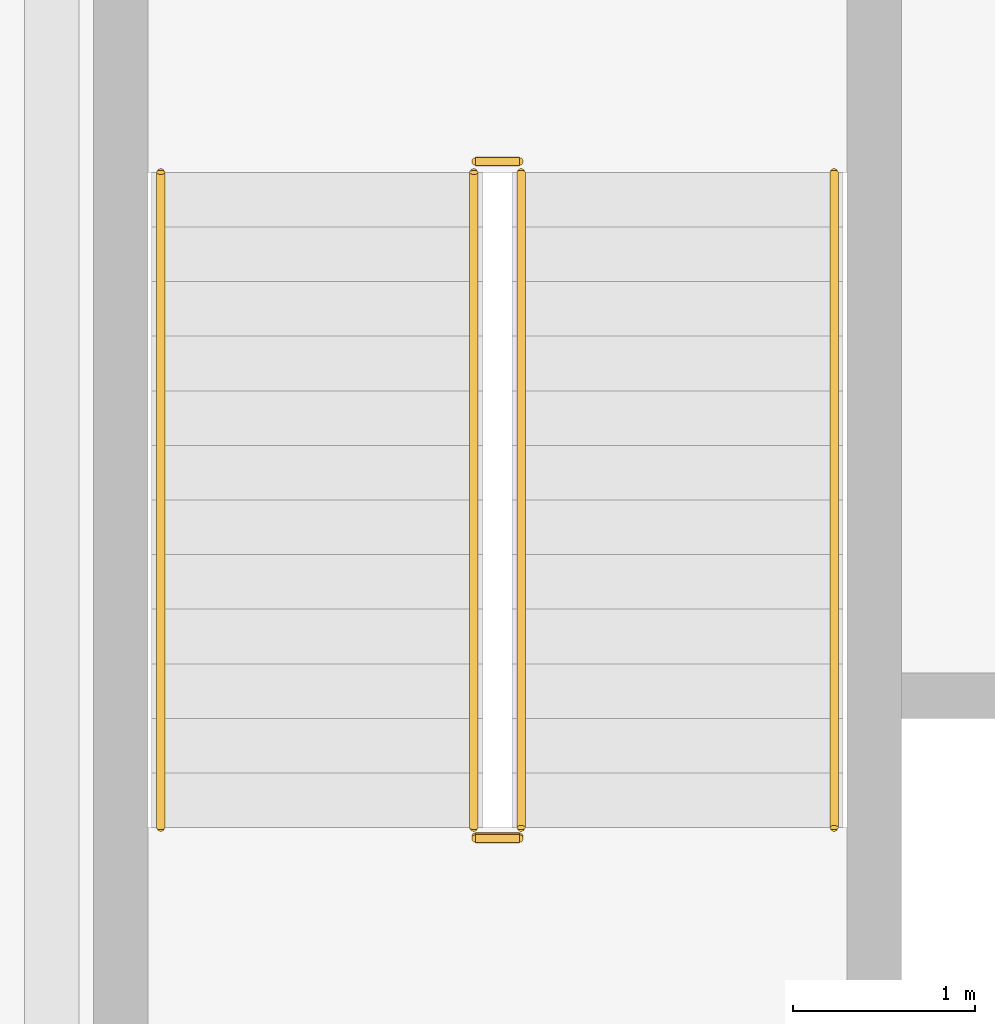
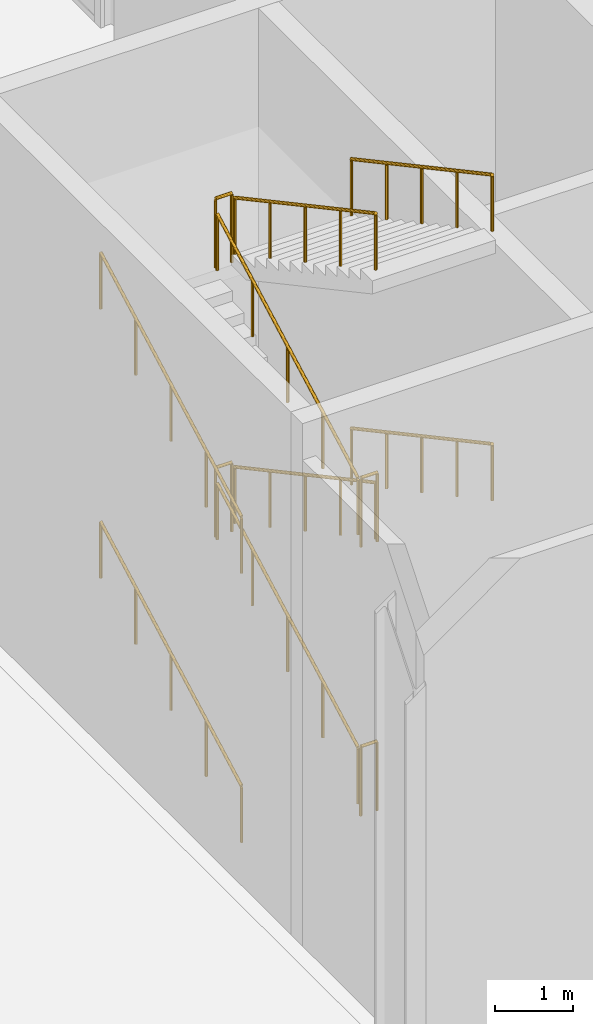
# One storey, part 128 of 131: 12 railings.
"""IFC4 building model written with IfcOpenShell, lengths in metres."""

from ifc_helpers import new_model, si_unit, direction, frame, origin, origin_2d, place, context, subcontext, project, spatial, circle, extrude, material, type_object, element, save


model = new_model("IFC4")

# Units and contexts
model_context = context("Model", 3, precision=1e-05, world=origin(), true_north=direction((0.0, 1.0)))
body_context = subcontext(model_context, "Body", "Model", "MODEL_VIEW")
ifc_project = project(units=[si_unit("LENGTHUNIT", "METRE"), si_unit("AREAUNIT", "SQUARE_METRE"), si_unit("VOLUMEUNIT", "CUBIC_METRE"), si_unit("PLANEANGLEUNIT", "RADIAN"), si_unit("MASSUNIT", "GRAM", prefix="KILO")], contexts=[model_context])

# Site, building, storey
site_placement = place(None, origin())
site = spatial("IfcSite", under=ifc_project, at=site_placement, CompositionType="ELEMENT")
building_placement = place(site_placement, origin())
building = spatial("IfcBuilding", under=site, at=building_placement, Name="Veltarok Museum of Natural Sciences", CompositionType="ELEMENT")
storey_placement = place(building_placement, origin())
storey = spatial("IfcBuildingStorey", under=building, at=storey_placement, Name="L00", CompositionType="ELEMENT", Elevation=0.0)

# Railings
ifc_material = material(Name="Steel S355J2", Category="steel")
railing_type_1 = type_object("IfcRailingType", Name="Interior Atrium and Stairwell Guardrail 1100", PredefinedType="GUARDRAIL", material=ifc_material)
for number, where, name in (
    (1, (42.330078125, 65.050048828125, 0.0), "Stairwell Floor Guard ST-03 L00"),
    (2, (42.330078125, 68.760009765625, 2.10009765625), "Landing Well Guard ST-03-L00-L1"),
    (3, (42.330078125, 65.0400390625, 4.199951171875), "Landing Well Guard ST-03-L00-L2"),
    (4, (42.330078125, 68.760009765625, 6.300048828125), "Landing Well Guard ST-03-L00-L3"),
):
    element("IfcRailing", number, at=place(storey_placement, frame(where)), inside=storey, type_object=railing_type_1, Name=name, PredefinedType="GUARDRAIL", context=body_context, shape_type="SweptSolid", body=[
        extrude(circle(Radius=0.02392578125, at=origin_2d()), frame((0.0, 0.0, 1.076171875), z_axis=(1.0, 0.0, 0.0), x_axis=(0.0, 1.0, 0.0)), (0.0, 0.0, 1.0), 0.239990234375),
        extrude(circle(Radius=0.02099609375, at=origin_2d()), origin(), (0.0, 0.0, 1.0), 1.052001953125),
        extrude(circle(Radius=0.02099609375, at=origin_2d()), frame((0.239990234375, 0.0, 0.0)), (0.0, 0.0, 1.0), 1.052001953125),
    ])
railing_type_2 = type_object("IfcRailingType", Name="Stair Flight Tubular Steel Handrail 900", PredefinedType="HANDRAIL", material=ifc_material)
for number, where, name in (
    (5, (40.60009765625, 65.10009765625, 0.16162109375), "Stair Handrail ST-03-L00-F1L"),
    (6, (42.320068359375, 65.10009765625, 0.16162109375), "Stair Handrail ST-03-L00-F1R"),
):
    element("IfcRailing", number, at=place(storey_placement, frame(where)), inside=storey, type_object=railing_type_2, Name=name, PredefinedType="HANDRAIL", context=body_context, shape_type="SweptSolid", body=[
        extrude(circle(Radius=0.02392578125, at=origin_2d()), frame((0.0, 0.0, 0.8759765625), z_axis=(0.0, 0.880461512865, 0.474117627138), x_axis=(-1.0, 0.0, 0.0)), (0.0, 0.0, 1.0), 4.088623046875),
        extrude(circle(Radius=0.02099609375, at=origin_2d()), origin(), (0.0, 0.0, 1.0), 0.851806640625),
        extrude(circle(Radius=0.02099609375, at=origin_2d()), frame((0.0, 0.89990234375, 0.484619140625)), (0.0, 0.0, 1.0), 0.851806640625),
        extrude(circle(Radius=0.02099609375, at=origin_2d()), frame((0.0, 1.7998046875, 0.96923828125)), (0.0, 0.0, 1.0), 0.851806640625),
        extrude(circle(Radius=0.02099609375, at=origin_2d()), frame((0.0, 2.699951171875, 1.453857421875)), (0.0, 0.0, 1.0), 0.851806640625),
        extrude(circle(Radius=0.02099609375, at=origin_2d()), frame((0.0, 3.599853515625, 1.9384765625)), (0.0, 0.0, 1.0), 0.851806640625),
    ])
for number, where, name in (
    (7, (42.580078125, 68.699951171875, 2.261474609375), "Stair Handrail ST-03-L00-F2L"),
    (8, (44.300048828125, 68.699951171875, 2.261474609375), "Stair Handrail ST-03-L00-F2R"),
):
    element("IfcRailing", number, at=place(storey_placement, frame(where)), inside=storey, type_object=railing_type_2, Name=name, PredefinedType="HANDRAIL", context=body_context, shape_type="SweptSolid", body=[
        extrude(circle(Radius=0.02392578125, at=origin_2d()), frame((0.0, 0.0, 0.8759765625), z_axis=(0.0, -0.880461512865, 0.474117627138), x_axis=(1.0, 0.0, 0.0)), (0.0, 0.0, 1.0), 4.088623046875),
        extrude(circle(Radius=0.02099609375, at=origin_2d()), origin(), (0.0, 0.0, 1.0), 0.851806640625),
        extrude(circle(Radius=0.02099609375, at=origin_2d()), frame((0.0, -0.89990234375, 0.484619140625)), (0.0, 0.0, 1.0), 0.851806640625),
        extrude(circle(Radius=0.02099609375, at=origin_2d()), frame((0.0, -1.7998046875, 0.96923828125)), (0.0, 0.0, 1.0), 0.851806640625),
        extrude(circle(Radius=0.02099609375, at=origin_2d()), frame((0.0, -2.699951171875, 1.453857421875)), (0.0, 0.0, 1.0), 0.851806640625),
        extrude(circle(Radius=0.02099609375, at=origin_2d()), frame((0.0, -3.599853515625, 1.9384765625)), (0.0, 0.0, 1.0), 0.851806640625),
    ])
for number, where, name in (
    (9, (40.60009765625, 65.10009765625, 4.361572265625), "Stair Handrail ST-03-L00-F3L"),
    (10, (42.320068359375, 65.10009765625, 4.361572265625), "Stair Handrail ST-03-L00-F3R"),
):
    element("IfcRailing", number, at=place(storey_placement, frame(where)), inside=storey, type_object=railing_type_2, Name=name, PredefinedType="HANDRAIL", context=body_context, shape_type="SweptSolid", body=[
        extrude(circle(Radius=0.02392578125, at=origin_2d()), frame((0.0, 0.0, 0.8759765625), z_axis=(0.0, 0.880461512865, 0.474117627138), x_axis=(-1.0, 0.0, 0.0)), (0.0, 0.0, 1.0), 4.088623046875),
        extrude(circle(Radius=0.02099609375, at=origin_2d()), origin(), (0.0, 0.0, 1.0), 0.851806640625),
        extrude(circle(Radius=0.02099609375, at=origin_2d()), frame((0.0, 0.89990234375, 0.484619140625)), (0.0, 0.0, 1.0), 0.851806640625),
        extrude(circle(Radius=0.02099609375, at=origin_2d()), frame((0.0, 1.7998046875, 0.96923828125)), (0.0, 0.0, 1.0), 0.851806640625),
        extrude(circle(Radius=0.02099609375, at=origin_2d()), frame((0.0, 2.699951171875, 1.453857421875)), (0.0, 0.0, 1.0), 0.851806640625),
        extrude(circle(Radius=0.02099609375, at=origin_2d()), frame((0.0, 3.599853515625, 1.9384765625)), (0.0, 0.0, 1.0), 0.851806640625),
    ])
for number, where, name in (
    (11, (42.580078125, 68.699951171875, 6.46142578125), "Stair Handrail ST-03-L00-F4L"),
    (12, (44.300048828125, 68.699951171875, 6.46142578125), "Stair Handrail ST-03-L00-F4R"),
):
    element("IfcRailing", number, at=place(storey_placement, frame(where)), inside=storey, type_object=railing_type_2, Name=name, PredefinedType="HANDRAIL", context=body_context, shape_type="SweptSolid", body=[
        extrude(circle(Radius=0.02392578125, at=origin_2d()), frame((0.0, 0.0, 0.8759765625), z_axis=(0.0, -0.880461512865, 0.474117627138), x_axis=(1.0, 0.0, 0.0)), (0.0, 0.0, 1.0), 4.088623046875),
        extrude(circle(Radius=0.02099609375, at=origin_2d()), origin(), (0.0, 0.0, 1.0), 0.851806640625),
        extrude(circle(Radius=0.02099609375, at=origin_2d()), frame((0.0, -0.89990234375, 0.484619140625)), (0.0, 0.0, 1.0), 0.851806640625),
        extrude(circle(Radius=0.02099609375, at=origin_2d()), frame((0.0, -1.7998046875, 0.96923828125)), (0.0, 0.0, 1.0), 0.851806640625),
        extrude(circle(Radius=0.02099609375, at=origin_2d()), frame((0.0, -2.699951171875, 1.453857421875)), (0.0, 0.0, 1.0), 0.851806640625),
        extrude(circle(Radius=0.02099609375, at=origin_2d()), frame((0.0, -3.599853515625, 1.9384765625)), (0.0, 0.0, 1.0), 0.851806640625),
    ])

save(model, "model.ifc")
